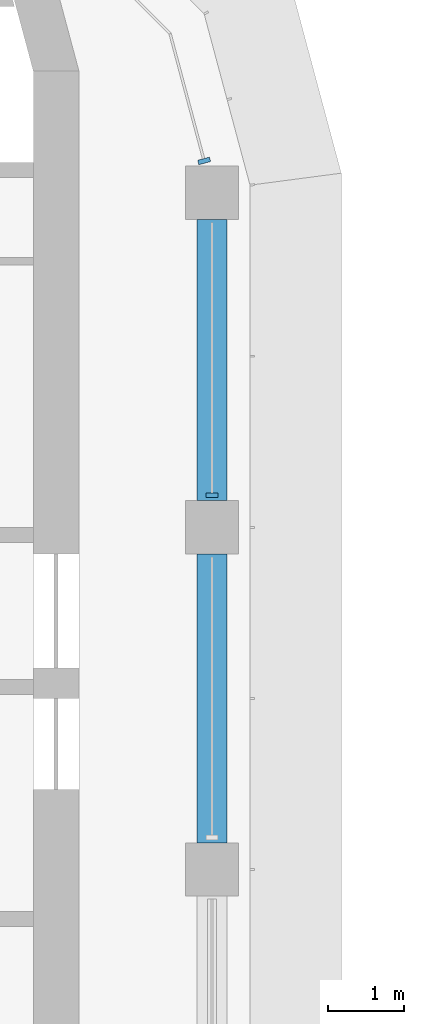
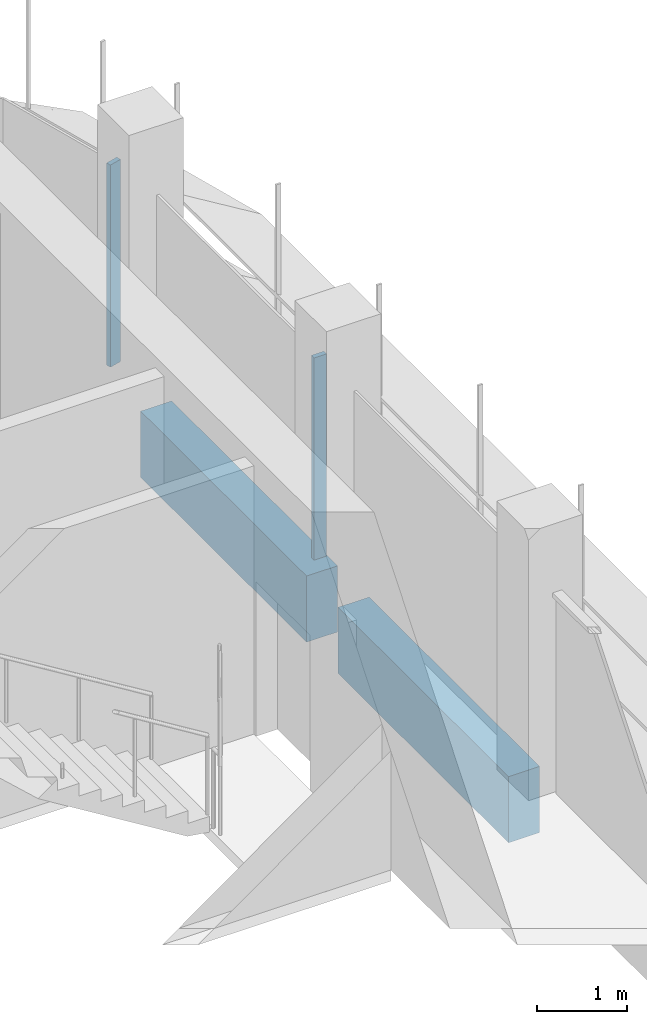
# One storey, part 10 of 19: 2 beams, 2 members, 2 elements without a shape of their own.
"""IFC4 building model written with IfcOpenShell, lengths in metres."""

from ifc_helpers import new_model, si_unit, direction, frame, origin, origin_2d, place, context, subcontext, project, spatial, polyline, rectangle, outline, extrude, source, transform, mapped, material, material_profile, profile_set, type_object, element, aggregate, save


model = new_model("IFC4")

# Units and contexts
model_context = context("Model", 3, precision=1e-05, world=origin(), true_north=direction((0.0, 1.0)))
body_context = subcontext(model_context, "Body", "Model", "MODEL_VIEW")
ifc_project = project(units=[si_unit("LENGTHUNIT", "METRE"), si_unit("AREAUNIT", "SQUARE_METRE"), si_unit("VOLUMEUNIT", "CUBIC_METRE"), si_unit("PLANEANGLEUNIT", "RADIAN"), si_unit("MASSUNIT", "GRAM", prefix="KILO")], contexts=[model_context])

# Site, building, storey
site_placement = place(None, origin())
site = spatial("IfcSite", under=ifc_project, at=site_placement, CompositionType="ELEMENT")
building_placement = place(site_placement, origin())
building = spatial("IfcBuilding", under=site, at=building_placement, Name="Zarbagh Exchange Tower", CompositionType="ELEMENT")
storey_placement = place(building_placement, frame((0.0, 0.0, 225.800048828125)))
storey = spatial("IfcBuildingStorey", under=building, at=storey_placement, Name="L55", CompositionType="ELEMENT", Elevation=225.800048828125)

# Beams
ifc_material_1 = material(Name="Concrete C50/60", Category="concrete")
ifc_material_profile = material_profile(ifc_material_1, rectangle(XDim=0.39990234375, YDim=0.89990234375, at=origin_2d()), Name="RC spandrel beam 400 x 900 C50/60")
ifc_profile_set = profile_set([ifc_material_profile], Name="Concrete C50/60")
beam_type = type_object("IfcBeamType", Name="RC spandrel beam 400 x 900 C50/60", PredefinedType="SPANDREL", material=ifc_profile_set)
beam_1_placement = place(storey_placement, frame((6.25, 24.300048828125, -0.60009765625), z_axis=(0.0, -1.0, 0.0), x_axis=(1.0, 0.0, 0.0)))
element("IfcBeam", 1, at=beam_1_placement, inside=storey, type_object=beam_type, Name="RC spandrel beam", PredefinedType="SPANDREL", context=body_context, shape_type="SweptSolid", body=[
    extrude(rectangle(XDim=0.39990234375, YDim=0.89990234375, at=origin_2d()), origin(), (0.0, 0.0, 1.0), 3.699951171875),
])
beam_2_placement = place(storey_placement, frame((6.25, 19.89990234375, -0.60009765625), z_axis=(0.0, -1.0, 0.0), x_axis=(1.0, 0.0, 0.0)))
element("IfcBeam", 2, at=beam_2_placement, inside=storey, type_object=beam_type, Name="RC spandrel beam", PredefinedType="SPANDREL", context=body_context, shape_type="SweptSolid", body=[
    extrude(rectangle(XDim=0.39990234375, YDim=0.89990234375, at=origin_2d()), origin(), (0.0, 0.0, 1.0), 3.7998046875),
])

# Curtain wall, member
ifc_material_2 = material(Name="Anodised aluminium frame and glazing", Category="aluminium")
curtain_wall_type = type_object("IfcCurtainWallType", Name="CWB Ribbon glazing, upper zones", PredefinedType="NOTDEFINED", material=ifc_material_2)
curtain_wall_1_placement = place(storey_placement, origin())
curtain_wall_1 = element("IfcCurtainWall", 3, at=curtain_wall_1_placement, inside=storey, type_object=curtain_wall_type, Name="CWB67 curtain wall", PredefinedType="NOTDEFINED")
ifc_material_3 = material(Name="Anodised aluminium frame", Category="aluminium")
member_type = type_object("IfcMemberType", Name="MUB Mullion, anodised aluminium frame", PredefinedType="MULLION", material=ifc_material_3)
shared_shape = source(origin(), body_context, "Body", "SweptSolid", [
    extrude(outline(polyline([(0.0, -0.080078125), (0.06005859375, -0.080078125), (0.06005859375, 0.080078125), (0.0, 0.080078125), (0.0, -0.080078125)])), origin(), (0.0, 0.0, 1.0), 2.75),
])
placement = place(storey_placement, origin())
member_1 = element("IfcMember", 4, at=placement, type_object=member_type, Name="CWB67 mullion 3.1", PredefinedType="MULLION", context=body_context, shape_type="MappedRepresentation", body=[
    mapped(shared_shape, transform((6.25, 20.64013671875, 0.0), x_axis=(0.0, 1.0, 0.0), y_axis=(-1.0, 0.0, 0.0), z_axis=(0.0, 0.0, 1.0))),
])
aggregate(curtain_wall_1, [member_1])

curtain_wall_2_placement = place(storey_placement, origin())
curtain_wall_2 = element("IfcCurtainWall", 5, at=curtain_wall_2_placement, inside=storey, type_object=curtain_wall_type, Name="CWB68 curtain wall", PredefinedType="NOTDEFINED")
member_2 = element("IfcMember", 6, at=placement, type_object=member_type, Name="CWB68 mullion 1.1", PredefinedType="MULLION", context=body_context, shape_type="MappedRepresentation", body=[
    mapped(shared_shape, transform((6.154541015625, 25.0400390625, 0.0), x_axis=(-0.258824779902, 0.965924289636, 0.0), y_axis=(-0.965924289636, -0.258824779902, 0.0), z_axis=(0.0, 0.0, 1.0))),
])
aggregate(curtain_wall_2, [member_2])

save(model, "model.ifc")
